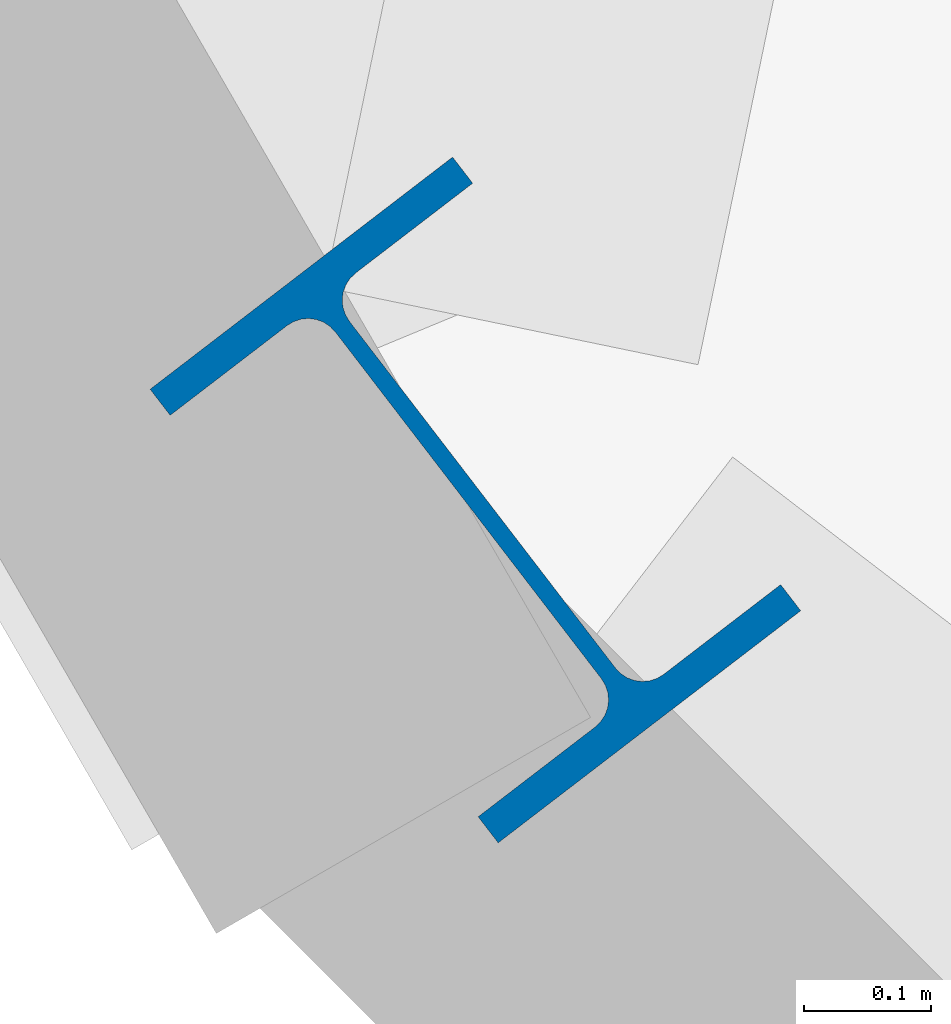
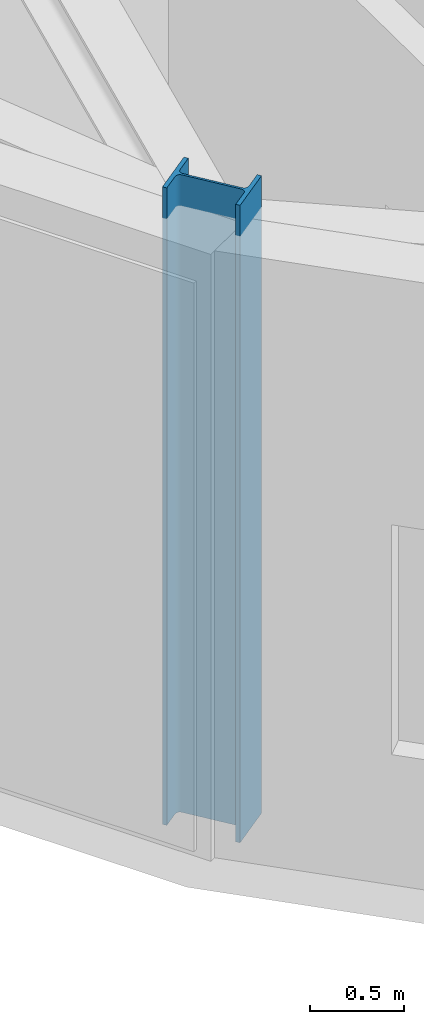
# One storey, part 1 of 59: 1 column.
"""IFC4 building model written with IfcOpenShell, lengths in metres."""

from ifc_helpers import new_model, si_unit, direction, frame, origin, origin_2d, place, context, subcontext, project, spatial, i_section, extrude, material, material_profile, profile_set, type_object, element, save


model = new_model("IFC4")

# Units and contexts
model_context = context("Model", 3, precision=1e-05, world=origin(), true_north=direction((0.0, 1.0)))
body_context = subcontext(model_context, "Body", "Model", "MODEL_VIEW")
ifc_project = project(units=[si_unit("LENGTHUNIT", "METRE"), si_unit("AREAUNIT", "SQUARE_METRE"), si_unit("VOLUMEUNIT", "CUBIC_METRE"), si_unit("PLANEANGLEUNIT", "RADIAN"), si_unit("MASSUNIT", "GRAM", prefix="KILO")], contexts=[model_context])

# Site, building, storey
site_placement = place(None, origin())
site = spatial("IfcSite", under=ifc_project, at=site_placement, CompositionType="ELEMENT")
building_placement = place(site_placement, origin())
building = spatial("IfcBuilding", under=site, at=building_placement, Name="Varnklinge Art Gallery", CompositionType="ELEMENT")
storey_placement = place(building_placement, frame((0.0, 0.0, 9.52001953125)))
storey = spatial("IfcBuildingStorey", under=building, at=storey_placement, Name="L02", CompositionType="ELEMENT", Elevation=9.52001953125)

# Column
ifc_material = material(Name="Steel S355", Category="steel")
ifc_material_profile = material_profile(ifc_material, i_section(OverallWidth=0.300048828125, OverallDepth=0.449951171875, WebThickness=0.013916015625, FlangeThickness=0.02587890625, FilletRadius=0.027099609375, at=origin_2d()), Name="HEB 450")
ifc_profile_set = profile_set([ifc_material_profile], Name="Steel S355")
column_type = type_object("IfcColumnType", Name="COL-E2", PredefinedType="COLUMN", material=ifc_profile_set)
column_placement = place(storey_placement, frame((65.305419921875, 30.677490234375, 0.0), z_axis=(0.0, 0.0, 1.0), x_axis=(-0.793353340291, -0.608761429009, 0.0)))
element("IfcColumn", 1, at=column_placement, inside=storey, type_object=column_type, Name="L02 Column V4CP-08", PredefinedType="COLUMN", context=body_context, shape_type="SweptSolid", body=[
    extrude(i_section(OverallWidth=0.300048828125, OverallDepth=0.449951171875, WebThickness=0.013916015625, FlangeThickness=0.02587890625, FilletRadius=0.027099609375, at=origin_2d()), origin(), (0.0, 0.0, 1.0), 4.159912109375),
])

save(model, "model.ifc")
